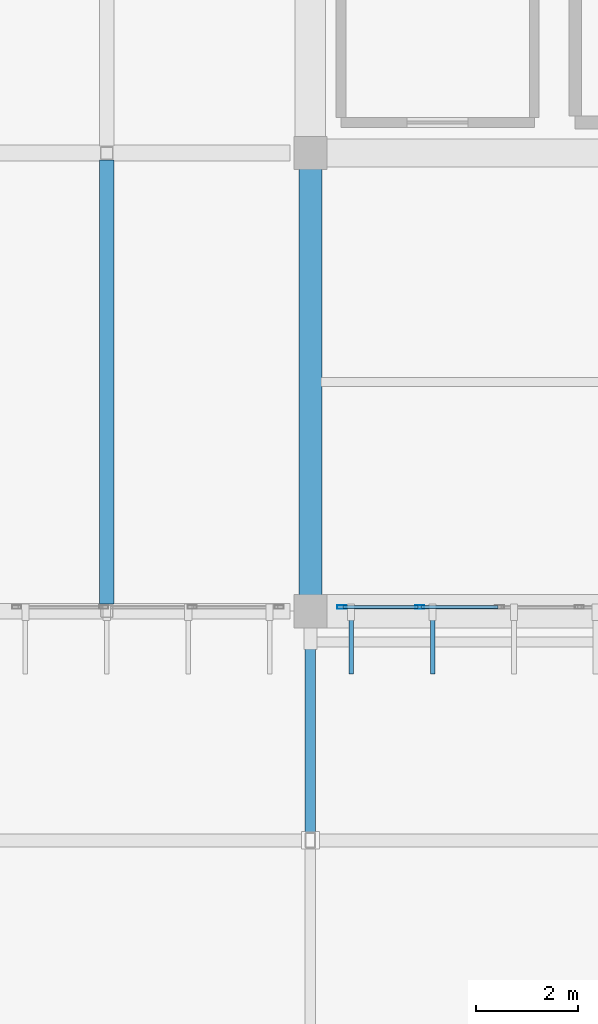
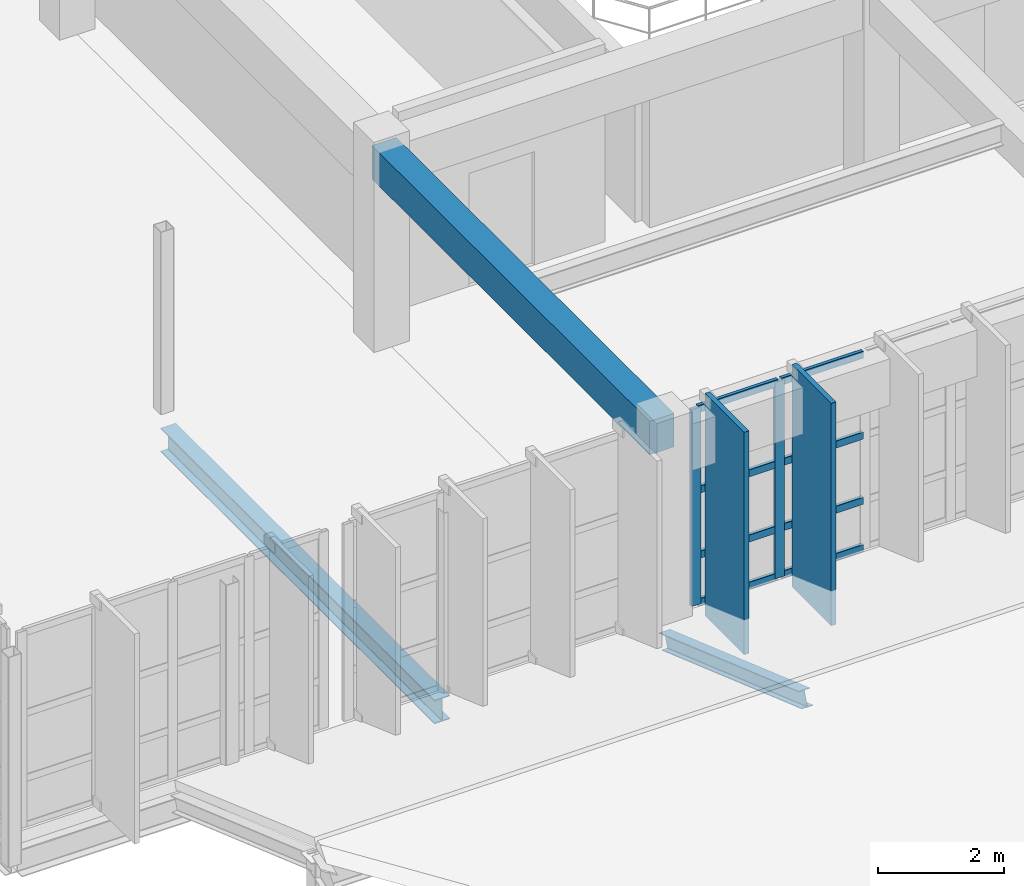
# One storey, part 16 of 80: 13 members, 2 beams, 1 element without a shape of its own.
"""IFC4 building model written with IfcOpenShell, lengths in metres."""

from ifc_helpers import new_model, si_unit, direction, frame, origin, origin_2d, place, context, subcontext, project, spatial, rectangle, hollow_rectangle, i_section, extrude, material, material_profile, profile_set, type_object, element, aggregate, save


model = new_model("IFC4")

# Units and contexts
model_context = context("Model", 3, precision=1e-05, world=origin(), true_north=direction((0.0, 1.0)))
body_context = subcontext(model_context, "Body", "Model", "MODEL_VIEW")
ifc_project = project(units=[si_unit("LENGTHUNIT", "METRE"), si_unit("AREAUNIT", "SQUARE_METRE"), si_unit("VOLUMEUNIT", "CUBIC_METRE"), si_unit("PLANEANGLEUNIT", "RADIAN"), si_unit("MASSUNIT", "GRAM", prefix="KILO")], contexts=[model_context])

# Site, building, storey
site_placement = place(None, origin())
site = spatial("IfcSite", under=ifc_project, at=site_placement, CompositionType="ELEMENT")
building_placement = place(site_placement, origin())
building = spatial("IfcBuilding", under=site, at=building_placement, Name="Miravela Opera House", CompositionType="ELEMENT")
storey_placement = place(building_placement, frame((0.0, 0.0, 17.679931640625)))
storey = spatial("IfcBuildingStorey", under=building, at=storey_placement, Name="L04", CompositionType="ELEMENT", Elevation=17.679931640625)

# Curtain wall, members
ifc_material_1 = material(Name="Anodised architectural bronze aluminium 6063-T6", Category="aluminium")
curtain_wall_type = type_object("IfcCurtainWallType", Name="ARC-CW-02", PredefinedType="NOTDEFINED", material=ifc_material_1)
curtain_wall_placement = place(storey_placement, origin())
curtain_wall = element("IfcCurtainWall", 1, at=curtain_wall_placement, inside=storey, type_object=curtain_wall_type, Name="Auditorium South Wrapper Glazing CW-L04-040", PredefinedType="NOTDEFINED")
ifc_material_profile_1 = material_profile(ifc_material_1, hollow_rectangle(XDim=0.06494140625, YDim=0.179931640625, WallThickness=0.00390625, InnerFilletRadius=0.001953125, OuterFilletRadius=0.00390625, at=origin_2d()), Name="CWM-65X180")
ifc_profile_set_1 = profile_set([ifc_material_profile_1])
member_type_1 = type_object("IfcMemberType", Name="ARC-CWM-180", PredefinedType="MULLION", material=ifc_profile_set_1)
member_1_placement = place(storey_placement, frame((27.612548828125, 37.080078125, 0.0), z_axis=(0.0, 0.0, 1.0), x_axis=(0.0, 1.0, 0.0)))
member_1 = element("IfcMember", 2, at=member_1_placement, type_object=member_type_1, Name="CW-02 mullion 1", PredefinedType="MULLION", context=body_context, shape_type="SweptSolid", body=[
    extrude(hollow_rectangle(XDim=0.06494140625, YDim=0.179931640625, WallThickness=0.00390625, InnerFilletRadius=0.001953125, OuterFilletRadius=0.00390625, at=origin_2d()), origin(), (0.0, 0.0, 1.0), 3.820068359375),
])
member_2_placement = place(storey_placement, frame((29.14794921875, 37.080078125, 0.0), z_axis=(0.0, 0.0, 1.0), x_axis=(0.0, 1.0, 0.0)))
member_2 = element("IfcMember", 3, at=member_2_placement, type_object=member_type_1, Name="CW-02 mullion 2", PredefinedType="MULLION", context=body_context, shape_type="SweptSolid", body=[
    extrude(hollow_rectangle(XDim=0.06494140625, YDim=0.179931640625, WallThickness=0.00390625, InnerFilletRadius=0.001953125, OuterFilletRadius=0.00390625, at=origin_2d()), origin(), (0.0, 0.0, 1.0), 3.820068359375),
])
ifc_material_profile_2 = material_profile(ifc_material_1, hollow_rectangle(XDim=0.06494140625, YDim=0.139892578125, WallThickness=0.00390625, InnerFilletRadius=0.001953125, OuterFilletRadius=0.00390625, at=origin_2d()), Name="CWT-65X140")
ifc_profile_set_2 = profile_set([ifc_material_profile_2])
member_type_2 = type_object("IfcMemberType", Name="ARC-CWT-140", PredefinedType="USERDEFINED", material=ifc_profile_set_2)
member_3_placement = place(storey_placement, frame((27.64501953125, 37.080078125, 0.032470703125), z_axis=(1.0, 0.0, 0.0), x_axis=(0.0, 1.0, 0.0)))
member_3 = element("IfcMember", 4, at=member_3_placement, type_object=member_type_2, Name="CW-02 transom 1.1", ObjectType="TRANSOM", PredefinedType="USERDEFINED", context=body_context, shape_type="SweptSolid", body=[
    extrude(hollow_rectangle(XDim=0.06494140625, YDim=0.139892578125, WallThickness=0.00390625, InnerFilletRadius=0.001953125, OuterFilletRadius=0.00390625, at=origin_2d()), origin(), (0.0, 0.0, 1.0), 1.470458984375),
])
member_4_placement = place(storey_placement, frame((27.64501953125, 37.080078125, 0.949951171875), z_axis=(1.0, 0.0, 0.0), x_axis=(0.0, 1.0, 0.0)))
member_4 = element("IfcMember", 5, at=member_4_placement, type_object=member_type_2, Name="CW-02 transom 1.2", ObjectType="TRANSOM", PredefinedType="USERDEFINED", context=body_context, shape_type="SweptSolid", body=[
    extrude(hollow_rectangle(XDim=0.06494140625, YDim=0.139892578125, WallThickness=0.00390625, InnerFilletRadius=0.001953125, OuterFilletRadius=0.00390625, at=origin_2d()), origin(), (0.0, 0.0, 1.0), 1.470458984375),
])
member_5_placement = place(storey_placement, frame((27.64501953125, 37.080078125, 2.215576171875), z_axis=(1.0, 0.0, 0.0), x_axis=(0.0, 1.0, 0.0)))
member_5 = element("IfcMember", 6, at=member_5_placement, type_object=member_type_2, Name="CW-02 transom 1.3", ObjectType="TRANSOM", PredefinedType="USERDEFINED", context=body_context, shape_type="SweptSolid", body=[
    extrude(hollow_rectangle(XDim=0.06494140625, YDim=0.139892578125, WallThickness=0.00390625, InnerFilletRadius=0.001953125, OuterFilletRadius=0.00390625, at=origin_2d()), origin(), (0.0, 0.0, 1.0), 1.470458984375),
])
member_6_placement = place(storey_placement, frame((27.64501953125, 37.080078125, 3.78759765625), z_axis=(1.0, 0.0, 0.0), x_axis=(0.0, 1.0, 0.0)))
member_6 = element("IfcMember", 7, at=member_6_placement, type_object=member_type_2, Name="CW-02 transom 1.4", ObjectType="TRANSOM", PredefinedType="USERDEFINED", context=body_context, shape_type="SweptSolid", body=[
    extrude(hollow_rectangle(XDim=0.06494140625, YDim=0.139892578125, WallThickness=0.00390625, InnerFilletRadius=0.001953125, OuterFilletRadius=0.00390625, at=origin_2d()), origin(), (0.0, 0.0, 1.0), 1.470458984375),
])
member_7_placement = place(storey_placement, frame((29.180419921875, 37.080078125, 0.032470703125), z_axis=(1.0, 0.0, 0.0), x_axis=(0.0, 1.0, 0.0)))
member_7 = element("IfcMember", 8, at=member_7_placement, type_object=member_type_2, Name="CW-02 transom 2.1", ObjectType="TRANSOM", PredefinedType="USERDEFINED", context=body_context, shape_type="SweptSolid", body=[
    extrude(hollow_rectangle(XDim=0.06494140625, YDim=0.139892578125, WallThickness=0.00390625, InnerFilletRadius=0.001953125, OuterFilletRadius=0.00390625, at=origin_2d()), origin(), (0.0, 0.0, 1.0), 1.503173828125),
])
member_8_placement = place(storey_placement, frame((29.180419921875, 37.080078125, 0.949951171875), z_axis=(1.0, 0.0, 0.0), x_axis=(0.0, 1.0, 0.0)))
member_8 = element("IfcMember", 9, at=member_8_placement, type_object=member_type_2, Name="CW-02 transom 2.2", ObjectType="TRANSOM", PredefinedType="USERDEFINED", context=body_context, shape_type="SweptSolid", body=[
    extrude(hollow_rectangle(XDim=0.06494140625, YDim=0.139892578125, WallThickness=0.00390625, InnerFilletRadius=0.001953125, OuterFilletRadius=0.00390625, at=origin_2d()), origin(), (0.0, 0.0, 1.0), 1.503173828125),
])
member_9_placement = place(storey_placement, frame((29.180419921875, 37.080078125, 2.215576171875), z_axis=(1.0, 0.0, 0.0), x_axis=(0.0, 1.0, 0.0)))
member_9 = element("IfcMember", 10, at=member_9_placement, type_object=member_type_2, Name="CW-02 transom 2.3", ObjectType="TRANSOM", PredefinedType="USERDEFINED", context=body_context, shape_type="SweptSolid", body=[
    extrude(hollow_rectangle(XDim=0.06494140625, YDim=0.139892578125, WallThickness=0.00390625, InnerFilletRadius=0.001953125, OuterFilletRadius=0.00390625, at=origin_2d()), origin(), (0.0, 0.0, 1.0), 1.503173828125),
])
member_10_placement = place(storey_placement, frame((29.180419921875, 37.080078125, 3.78759765625), z_axis=(1.0, 0.0, 0.0), x_axis=(0.0, 1.0, 0.0)))
member_10 = element("IfcMember", 11, at=member_10_placement, type_object=member_type_2, Name="CW-02 transom 2.4", ObjectType="TRANSOM", PredefinedType="USERDEFINED", context=body_context, shape_type="SweptSolid", body=[
    extrude(hollow_rectangle(XDim=0.06494140625, YDim=0.139892578125, WallThickness=0.00390625, InnerFilletRadius=0.001953125, OuterFilletRadius=0.00390625, at=origin_2d()), origin(), (0.0, 0.0, 1.0), 1.503173828125),
])
aggregate(curtain_wall, [member_1, member_2, member_3, member_4, member_5, member_6, member_7, member_8, member_9, member_10])

# Members
ifc_material_profile_3 = material_profile(ifc_material_1, rectangle(XDim=0.090087890625, YDim=1.25, at=origin_2d()), Name="FIN-1250X90")
ifc_profile_set_3 = profile_set([ifc_material_profile_3])
member_type_3 = type_object("IfcMemberType", Name="ARC-FIN-1250", PredefinedType="USERDEFINED", material=ifc_profile_set_3)
for number, where, z_axis, x_axis, name in (
    (12, (27.800048828125, 36.39501953125, -0.239990234375), (0.0, 0.0, 1.0), (1.0, 0.0, 0.0), "Auditorium Wrapper Bronze Solar Fin FIN-L04-SOUTH-0110"),
    (13, (29.39990234375, 36.39501953125, -0.239990234375), (0.0, 0.0, 1.0), (1.0, 0.0, 0.0), "Auditorium Wrapper Bronze Solar Fin FIN-L04-SOUTH-0112"),
):
    element("IfcMember", number, at=place(storey_placement, frame(where, z_axis=z_axis, x_axis=x_axis)), inside=storey, type_object=member_type_3, Name=name, ObjectType="FIN", PredefinedType="USERDEFINED", context=body_context, shape_type="SweptSolid", body=[
        extrude(rectangle(XDim=0.090087890625, YDim=1.25, at=origin_2d()), origin(), (0.0, 0.0, 1.0), 4.320068359375),
    ])

# Beams
ifc_material_2 = material(Name="Concrete C35/45", Category="concrete")
ifc_material_profile_4 = material_profile(ifc_material_2, rectangle(XDim=0.449951171875, YDim=0.64990234375, at=origin_2d()), Name="RC-BM-450X650")
ifc_profile_set_4 = profile_set([ifc_material_profile_4])
beam_type_1 = type_object("IfcBeamType", Name="STR-BM-RC450X650", PredefinedType="BEAM", material=ifc_profile_set_4)
beam_1_placement = place(storey_placement, frame((27.0, 37.080078125, 3.51513671875), z_axis=(0.0, 1.0, 0.0), x_axis=(-1.0, 0.0, 0.0)))
element("IfcBeam", 14, at=beam_1_placement, inside=storey, type_object=beam_type_1, Name="Floor Girder L04 4/E-F", PredefinedType="BEAM", context=body_context, shape_type="SweptSolid", body=[
    extrude(rectangle(XDim=0.449951171875, YDim=0.64990234375, at=origin_2d()), origin(), (0.0, 0.0, 1.0), 8.83984375),
])
ifc_material_3 = material(Name="Structural steel ASTM A992 Gr. 50", Category="steel")
ifc_material_profile_5 = material_profile(ifc_material_3, i_section(OverallWidth=0.280029296875, OverallDepth=0.462890625, WebThickness=0.0107421875, FlangeThickness=0.017333984375, FilletRadius=0.014892578125, at=origin_2d()), Name="W460X113")
ifc_profile_set_5 = profile_set([ifc_material_profile_5])
beam_type_2 = type_object("IfcBeamType", Name="STR-BM-W460X113", PredefinedType="BEAM", material=ifc_profile_set_5)
beam_2_placement = place(storey_placement, frame((23.0, 37.14111328125, -0.471435546875), z_axis=(0.0, 1.0, 0.0), x_axis=(-1.0, 0.0, 0.0)))
element("IfcBeam", 15, at=beam_2_placement, inside=storey, type_object=beam_type_2, Name="Cantilever Overhang Beam L04 X=23", PredefinedType="BEAM", context=body_context, shape_type="SweptSolid", body=[
    extrude(i_section(OverallWidth=0.280029296875, OverallDepth=0.462890625, WebThickness=0.0107421875, FlangeThickness=0.017333984375, FilletRadius=0.014892578125, at=origin_2d()), origin(), (0.0, 0.0, 1.0), 8.7177734375),
])

# Member
ifc_material_profile_6 = material_profile(ifc_material_3, i_section(OverallWidth=0.202880859375, OverallDepth=0.302978515625, WebThickness=0.007568359375, FlangeThickness=0.01318359375, FilletRadius=0.012939453125, at=origin_2d()), Name="W310X60")
ifc_profile_set_6 = profile_set([ifc_material_profile_6])
member_type_4 = type_object("IfcMemberType", Name="STR-MEM-RAFTER-2", PredefinedType="RAFTER", material=ifc_profile_set_6)
member_11_placement = place(storey_placement, frame((27.0, 36.949951171875, -0.39990234375), z_axis=(0.0, -0.943687918104, 0.3308369889), x_axis=(1.0, 0.0, 0.0)))
element("IfcMember", 16, at=member_11_placement, inside=storey, type_object=member_type_4, Name="Pitched Roof Rafter ROOF-V4-WEST-N N1", PredefinedType="RAFTER", context=body_context, shape_type="SweptSolid", body=[
    extrude(i_section(OverallWidth=0.202880859375, OverallDepth=0.302978515625, WebThickness=0.007568359375, FlangeThickness=0.01318359375, FilletRadius=0.012939453125, at=origin_2d()), origin(), (0.0, 0.0, 1.0), 4.715576171875),
])

save(model, "model.ifc")
